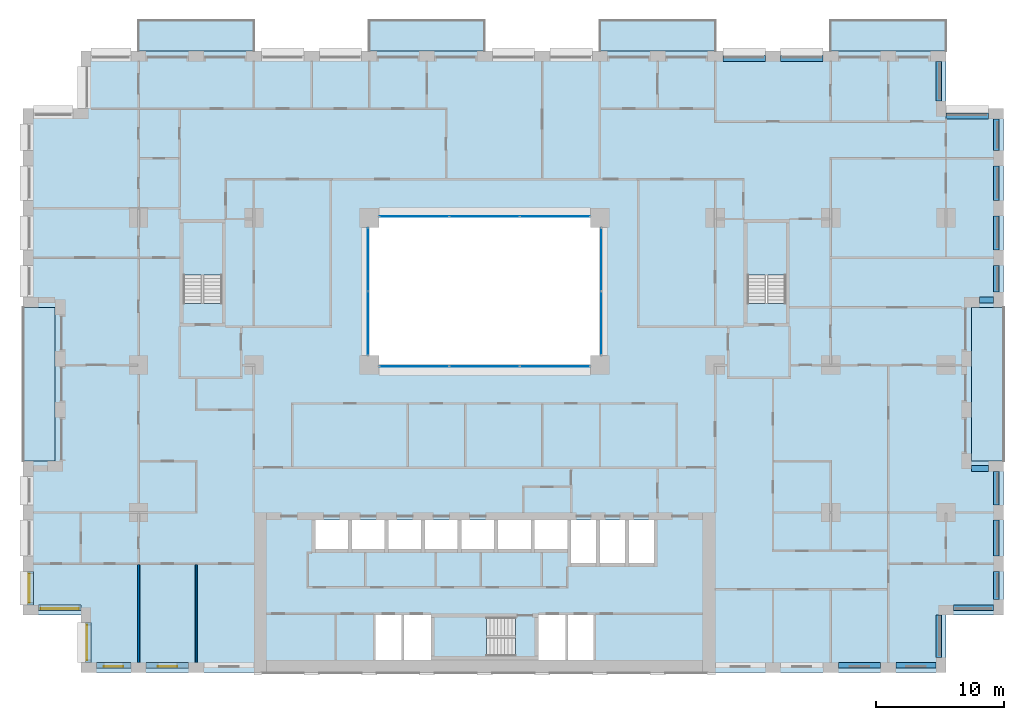
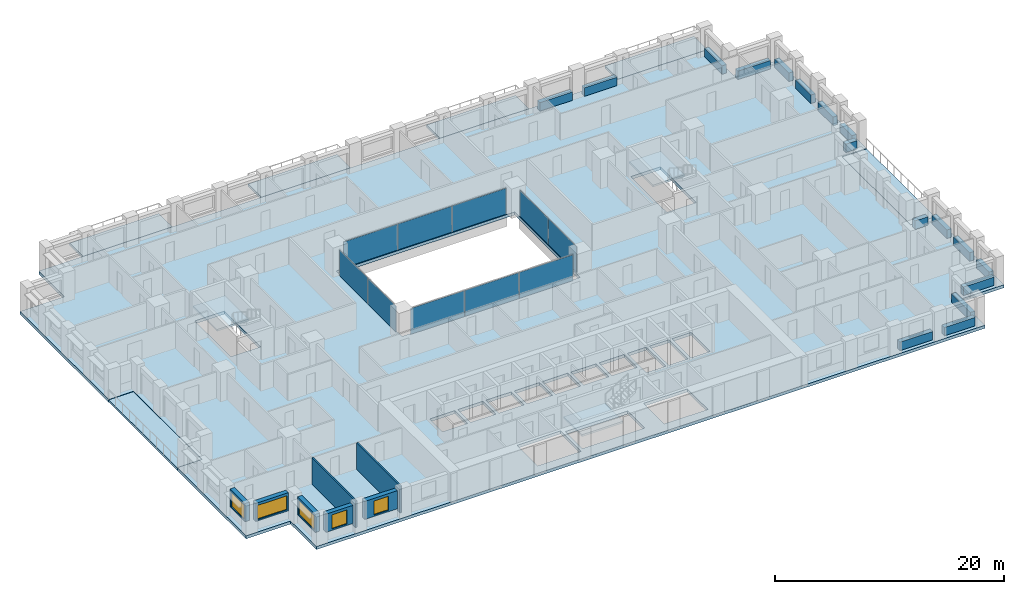
# One storey, part 8 of 21: 17 beams, 10 plates, 10 slabs, 7 walls, 5 windows, 5 openings, 7 elements without a shape of their own.
"""IFC4 building model written with IfcOpenShell, lengths in metres."""

from ifc_helpers import new_model, si_unit, direction, frame, frame_2d, origin, origin_2d, place, context, subcontext, project, spatial, polyline, rectangle, outline, extrude, material, layer, layer_set, material_profile, profile_set, type_object, element, fill, aggregate, save


model = new_model("IFC4")

# Units and contexts
model_context = context("Model", 3, precision=1e-05, world=origin(), true_north=direction((0.0, 1.0)))
body_context = subcontext(model_context, "Body", "Model", "MODEL_VIEW")
ifc_project = project(units=[si_unit("LENGTHUNIT", "METRE"), si_unit("AREAUNIT", "SQUARE_METRE"), si_unit("VOLUMEUNIT", "CUBIC_METRE"), si_unit("PLANEANGLEUNIT", "RADIAN"), si_unit("MASSUNIT", "GRAM", prefix="KILO")], contexts=[model_context])

# Site, building, storey
site_placement = place(None, origin())
site = spatial("IfcSite", under=ifc_project, at=site_placement, CompositionType="ELEMENT")
building_placement = place(site_placement, origin())
building = spatial("IfcBuilding", under=site, at=building_placement, Name="Brigalow Station Residences", CompositionType="ELEMENT")
storey_placement = place(building_placement, frame((0.0, 0.0, 47.85009765625)))
storey = spatial("IfcBuildingStorey", under=building, at=storey_placement, Name="L13", CompositionType="ELEMENT", Elevation=47.85009765625)

# Beams
ifc_material_1 = material(Name="Concrete C65", Category="concrete")
ifc_material_profile = material_profile(ifc_material_1, rectangle(XDim=0.449951171875, YDim=0.89990234375, at=origin_2d()), Name="RC450x900")
ifc_profile_set = profile_set([ifc_material_profile], Name="Concrete C65")
beam_type = type_object("IfcBeamType", Name="SPANDREL BEAM 450x900 C65", PredefinedType="SPANDREL", material=ifc_profile_set)
beam_1_placement = place(storey_placement, frame((63.60009765625, 0.574951171875, 0.449951171875), z_axis=(1.0, 0.0, 0.0), x_axis=(0.0, 1.0, 0.0)))
element("IfcBeam", 1, at=beam_1_placement, inside=storey, type_object=beam_type, Name="L13/spandrel/W-L13-7", PredefinedType="SPANDREL", context=body_context, shape_type="SweptSolid", body=[
    extrude(rectangle(XDim=0.449951171875, YDim=0.89990234375, at=origin_2d()), origin(), (0.0, 0.0, 1.0), 3.2998046875),
])
beam_2_placement = place(storey_placement, frame((68.10009765625, 0.574951171875, 0.449951171875), z_axis=(1.0, 0.0, 0.0), x_axis=(0.0, 1.0, 0.0)))
element("IfcBeam", 2, at=beam_2_placement, inside=storey, type_object=beam_type, Name="L13/spandrel/W-L13-8", PredefinedType="SPANDREL", context=body_context, shape_type="SweptSolid", body=[
    extrude(rectangle(XDim=0.449951171875, YDim=0.89990234375, at=origin_2d()), origin(), (0.0, 0.0, 1.0), 3.099853515625),
])
beam_3_placement = place(storey_placement, frame((71.425048828125, 1.199951171875, 0.449951171875), z_axis=(0.0, 1.0, 0.0), x_axis=(-1.0, 0.0, 0.0)))
element("IfcBeam", 3, at=beam_3_placement, inside=storey, type_object=beam_type, Name="L13/spandrel/W-L13-9", PredefinedType="SPANDREL", context=body_context, shape_type="SweptSolid", body=[
    extrude(rectangle(XDim=0.449951171875, YDim=0.89990234375, at=origin_2d()), origin(), (0.0, 0.0, 1.0), 3.300048828125),
])
beam_4_placement = place(storey_placement, frame((72.60009765625, 5.074951171875, 0.449951171875), z_axis=(1.0, 0.0, 0.0), x_axis=(0.0, 1.0, 0.0)))
element("IfcBeam", 4, at=beam_4_placement, inside=storey, type_object=beam_type, Name="L13/spandrel/W-L13-10", PredefinedType="SPANDREL", context=body_context, shape_type="SweptSolid", body=[
    extrude(rectangle(XDim=0.449951171875, YDim=0.89990234375, at=origin_2d()), origin(), (0.0, 0.0, 1.0), 3.099853515625),
])
beam_5_placement = place(storey_placement, frame((75.925048828125, 5.699951171875, 0.449951171875), z_axis=(0.0, 1.0, 0.0), x_axis=(-1.0, 0.0, 0.0)))
element("IfcBeam", 5, at=beam_5_placement, inside=storey, type_object=beam_type, Name="L13/spandrel/W-L13-11", PredefinedType="SPANDREL", context=body_context, shape_type="SweptSolid", body=[
    extrude(rectangle(XDim=0.449951171875, YDim=0.89990234375, at=origin_2d()), origin(), (0.0, 0.0, 1.0), 2.199951171875),
])
beam_6_placement = place(storey_placement, frame((75.925048828125, 9.10009765625, 0.449951171875), z_axis=(0.0, 1.0, 0.0), x_axis=(-1.0, 0.0, 0.0)))
element("IfcBeam", 6, at=beam_6_placement, inside=storey, type_object=beam_type, Name="L13/spandrel/W-L13-12", PredefinedType="SPANDREL", context=body_context, shape_type="SweptSolid", body=[
    extrude(rectangle(XDim=0.449951171875, YDim=0.89990234375, at=origin_2d()), origin(), (0.0, 0.0, 1.0), 2.7998046875),
])
beam_7_placement = place(storey_placement, frame((75.925048828125, 13.10009765625, 0.449951171875), z_axis=(0.0, 1.0, 0.0), x_axis=(-1.0, 0.0, 0.0)))
element("IfcBeam", 7, at=beam_7_placement, inside=storey, type_object=beam_type, Name="L13/spandrel/W-L13-13", PredefinedType="SPANDREL", context=body_context, shape_type="SweptSolid", body=[
    extrude(rectangle(XDim=0.449951171875, YDim=0.89990234375, at=origin_2d()), origin(), (0.0, 0.0, 1.0), 2.599853515625),
])
beam_8_placement = place(storey_placement, frame((75.300048828125, 15.925048828125, 0.449951171875), z_axis=(-1.0, 0.0, 0.0), x_axis=(0.0, -1.0, 0.0)))
element("IfcBeam", 8, at=beam_8_placement, inside=storey, type_object=beam_type, Name="L13/spandrel/W-L13-14", PredefinedType="SPANDREL", context=body_context, shape_type="SweptSolid", body=[
    extrude(rectangle(XDim=0.449951171875, YDim=0.89990234375, at=origin_2d()), origin(), (0.0, 0.0, 1.0), 1.300048828125),
])
beam_9_placement = place(storey_placement, frame((74.60009765625, 29.074951171875, 0.449951171875), z_axis=(1.0, 0.0, 0.0), x_axis=(0.0, 1.0, 0.0)))
element("IfcBeam", 9, at=beam_9_placement, inside=storey, type_object=beam_type, Name="L13/spandrel/W-L13-18", PredefinedType="SPANDREL", context=body_context, shape_type="SweptSolid", body=[
    extrude(rectangle(XDim=0.449951171875, YDim=0.89990234375, at=origin_2d()), origin(), (0.0, 0.0, 1.0), 1.099853515625),
])
beam_10_placement = place(storey_placement, frame((75.925048828125, 29.699951171875, 0.449951171875), z_axis=(0.0, 1.0, 0.0), x_axis=(-1.0, 0.0, 0.0)))
element("IfcBeam", 10, at=beam_10_placement, inside=storey, type_object=beam_type, Name="L13/spandrel/W-L13-19", PredefinedType="SPANDREL", context=body_context, shape_type="SweptSolid", body=[
    extrude(rectangle(XDim=0.449951171875, YDim=0.89990234375, at=origin_2d()), origin(), (0.0, 0.0, 1.0), 2.074951171875),
])
for number, where, z_axis, x_axis, name in (
    (11, (75.925048828125, 32.97509765625, 0.449951171875), (0.0, 1.0, 0.0), (-1.0, 0.0, 0.0), "L13/spandrel/W-L13-20"),
    (12, (75.925048828125, 36.85009765625, 0.449951171875), (0.0, 1.0, 0.0), (-1.0, 0.0, 0.0), "L13/spandrel/W-L13-21"),
):
    element("IfcBeam", number, at=place(storey_placement, frame(where, z_axis=z_axis, x_axis=x_axis)), inside=storey, type_object=beam_type, Name=name, PredefinedType="SPANDREL", context=body_context, shape_type="SweptSolid", body=[
        extrude(rectangle(XDim=0.449951171875, YDim=0.89990234375, at=origin_2d()), origin(), (0.0, 0.0, 1.0), 2.6748046875),
    ])
beam_11_placement = place(storey_placement, frame((75.925048828125, 40.72509765625, 0.449951171875), z_axis=(0.0, 1.0, 0.0), x_axis=(-1.0, 0.0, 0.0)))
element("IfcBeam", 13, at=beam_11_placement, inside=storey, type_object=beam_type, Name="L13/spandrel/W-L13-22", PredefinedType="SPANDREL", context=body_context, shape_type="SweptSolid", body=[
    extrude(rectangle(XDim=0.449951171875, YDim=0.89990234375, at=origin_2d()), origin(), (0.0, 0.0, 1.0), 2.474853515625),
])
beam_12_placement = place(storey_placement, frame((75.300048828125, 43.425048828125, 0.449951171875), z_axis=(-1.0, 0.0, 0.0), x_axis=(0.0, -1.0, 0.0)))
element("IfcBeam", 14, at=beam_12_placement, inside=storey, type_object=beam_type, Name="L13/spandrel/W-L13-23", PredefinedType="SPANDREL", context=body_context, shape_type="SweptSolid", body=[
    extrude(rectangle(XDim=0.449951171875, YDim=0.89990234375, at=origin_2d()), origin(), (0.0, 0.0, 1.0), 3.300048828125),
])
beam_13_placement = place(storey_placement, frame((71.425048828125, 44.60009765625, 0.449951171875), z_axis=(0.0, 1.0, 0.0), x_axis=(-1.0, 0.0, 0.0)))
element("IfcBeam", 15, at=beam_13_placement, inside=storey, type_object=beam_type, Name="L13/spandrel/W-L13-24", PredefinedType="SPANDREL", context=body_context, shape_type="SweptSolid", body=[
    extrude(rectangle(XDim=0.449951171875, YDim=0.89990234375, at=origin_2d()), origin(), (0.0, 0.0, 1.0), 3.099853515625),
])
for number, where, z_axis, x_axis, name in (
    (16, (62.39990234375, 47.925048828125, 0.449951171875), (-1.0, 0.0, 0.0), (0.0, -1.0, 0.0), "L13/spandrel/W-L13-27"),
    (17, (57.89990234375, 47.925048828125, 0.449951171875), (-1.0, 0.0, 0.0), (0.0, -1.0, 0.0), "L13/spandrel/W-L13-28"),
):
    element("IfcBeam", number, at=place(storey_placement, frame(where, z_axis=z_axis, x_axis=x_axis)), inside=storey, type_object=beam_type, Name=name, PredefinedType="SPANDREL", context=body_context, shape_type="SweptSolid", body=[
        extrude(rectangle(XDim=0.449951171875, YDim=0.89990234375, at=origin_2d()), origin(), (0.0, 0.0, 1.0), 3.2998046875),
    ])

# Curtain wall, plates
ifc_material_2 = material(Name="Aluminium", Category="aluminium")
ifc_layer_1 = layer(ifc_material_2, 0.14990234375)
ifc_layer_set_1 = layer_set([ifc_layer_1], Name="ATRIUM FIRE-RATED GLAZING CURTAIN WALL")
curtain_wall_type = type_object("IfcCurtainWallType", Name="ATRIUM FIRE-RATED GLAZING CURTAIN WALL", PredefinedType="NOTDEFINED", material=ifc_layer_set_1)
curtain_wall_1_placement = place(storey_placement, origin())
curtain_wall_1 = element("IfcCurtainWall", 18, at=curtain_wall_1_placement, inside=storey, type_object=curtain_wall_type, Name="L13/cw/atrium-S", PredefinedType="NOTDEFINED")
ifc_material_3 = material(Name="Fire-resisting laminated glazing, FRL -/60/-", Category="glass")
ifc_layer_2 = layer(ifc_material_3, 0.031982421875)
ifc_layer_set_2 = layer_set([ifc_layer_2], Name="ATRIUM FIRE-RATED GLAZING PANEL 32")
plate_type = type_object("IfcPlateType", Name="ATRIUM FIRE-RATED GLAZING PANEL 32", PredefinedType="CURTAIN_PANEL", material=ifc_layer_set_2)
plate_1_placement = place(storey_placement, frame((30.514892578125, 23.89990234375, 0.0), z_axis=(0.0, 0.0, 1.0), x_axis=(1.0, 0.0, 0.0)))
plate_1 = element("IfcPlate", 19, at=plate_1_placement, type_object=plate_type, Name="L13/cw/atrium-S/P00-00", PredefinedType="CURTAIN_PANEL", context=body_context, shape_type="SweptSolid", body=[
    extrude(rectangle(XDim=5.409912109375, YDim=0.031982421875, at=origin_2d()), origin(), (0.0, 0.0, 1.0), 2.77001953125),
])
plate_2_placement = place(storey_placement, frame((36.0, 23.89990234375, 0.0), z_axis=(0.0, 0.0, 1.0), x_axis=(1.0, 0.0, 0.0)))
plate_2 = element("IfcPlate", 20, at=plate_2_placement, type_object=plate_type, Name="L13/cw/atrium-S/P01-00", PredefinedType="CURTAIN_PANEL", context=body_context, shape_type="SweptSolid", body=[
    extrude(rectangle(XDim=5.43994140625, YDim=0.031982421875, at=origin_2d()), origin(), (0.0, 0.0, 1.0), 2.77001953125),
])
plate_3_placement = place(storey_placement, frame((41.485107421875, 23.89990234375, 0.0), z_axis=(0.0, 0.0, 1.0), x_axis=(1.0, 0.0, 0.0)))
plate_3 = element("IfcPlate", 21, at=plate_3_placement, type_object=plate_type, Name="L13/cw/atrium-S/P02-00", PredefinedType="CURTAIN_PANEL", context=body_context, shape_type="SweptSolid", body=[
    extrude(rectangle(XDim=5.409912109375, YDim=0.031982421875, at=origin_2d()), origin(), (0.0, 0.0, 1.0), 2.77001953125),
])
aggregate(curtain_wall_1, [plate_1, plate_2, plate_3])

curtain_wall_2_placement = place(storey_placement, origin())
curtain_wall_2 = element("IfcCurtainWall", 22, at=curtain_wall_2_placement, inside=storey, type_object=curtain_wall_type, Name="L13/cw/atrium-E", PredefinedType="NOTDEFINED")
plate_4_placement = place(storey_placement, frame((45.10009765625, 27.264892578125, 0.0), z_axis=(0.0, 0.0, 1.0), x_axis=(0.0, 1.0, 0.0)))
plate_4 = element("IfcPlate", 23, at=plate_4_placement, type_object=plate_type, Name="L13/cw/atrium-E/P00-00", PredefinedType="CURTAIN_PANEL", context=body_context, shape_type="SweptSolid", body=[
    extrude(rectangle(XDim=4.909912109375, YDim=0.031982421875, at=origin_2d()), origin(), (0.0, 0.0, 1.0), 2.77001953125),
])
plate_5_placement = place(storey_placement, frame((45.10009765625, 32.235107421875, 0.0), z_axis=(0.0, 0.0, 1.0), x_axis=(0.0, 1.0, 0.0)))
plate_5 = element("IfcPlate", 24, at=plate_5_placement, type_object=plate_type, Name="L13/cw/atrium-E/P01-00", PredefinedType="CURTAIN_PANEL", context=body_context, shape_type="SweptSolid", body=[
    extrude(rectangle(XDim=4.909912109375, YDim=0.031982421875, at=origin_2d()), origin(), (0.0, 0.0, 1.0), 2.77001953125),
])
aggregate(curtain_wall_2, [plate_4, plate_5])

curtain_wall_3_placement = place(storey_placement, origin())
curtain_wall_3 = element("IfcCurtainWall", 25, at=curtain_wall_3_placement, inside=storey, type_object=curtain_wall_type, Name="L13/cw/atrium-N", PredefinedType="NOTDEFINED")
plate_6_placement = place(storey_placement, frame((41.485107421875, 35.60009765625, 0.0), z_axis=(0.0, 0.0, 1.0), x_axis=(-1.0, 0.0, 0.0)))
plate_6 = element("IfcPlate", 26, at=plate_6_placement, type_object=plate_type, Name="L13/cw/atrium-N/P00-00", PredefinedType="CURTAIN_PANEL", context=body_context, shape_type="SweptSolid", body=[
    extrude(rectangle(XDim=5.409912109375, YDim=0.031982421875, at=origin_2d()), origin(), (0.0, 0.0, 1.0), 2.77001953125),
])
plate_7_placement = place(storey_placement, frame((36.0, 35.60009765625, 0.0), z_axis=(0.0, 0.0, 1.0), x_axis=(-1.0, 0.0, 0.0)))
plate_7 = element("IfcPlate", 27, at=plate_7_placement, type_object=plate_type, Name="L13/cw/atrium-N/P01-00", PredefinedType="CURTAIN_PANEL", context=body_context, shape_type="SweptSolid", body=[
    extrude(rectangle(XDim=5.43994140625, YDim=0.031982421875, at=origin_2d()), origin(), (0.0, 0.0, 1.0), 2.77001953125),
])
plate_8_placement = place(storey_placement, frame((30.514892578125, 35.60009765625, 0.0), z_axis=(0.0, 0.0, 1.0), x_axis=(-1.0, 0.0, 0.0)))
plate_8 = element("IfcPlate", 28, at=plate_8_placement, type_object=plate_type, Name="L13/cw/atrium-N/P02-00", PredefinedType="CURTAIN_PANEL", context=body_context, shape_type="SweptSolid", body=[
    extrude(rectangle(XDim=5.409912109375, YDim=0.031982421875, at=origin_2d()), origin(), (0.0, 0.0, 1.0), 2.77001953125),
])
aggregate(curtain_wall_3, [plate_6, plate_7, plate_8])

curtain_wall_4_placement = place(storey_placement, origin())
curtain_wall_4 = element("IfcCurtainWall", 29, at=curtain_wall_4_placement, inside=storey, type_object=curtain_wall_type, Name="L13/cw/atrium-W", PredefinedType="NOTDEFINED")
plate_9_placement = place(storey_placement, frame((26.89990234375, 32.235107421875, 0.0), z_axis=(0.0, 0.0, 1.0), x_axis=(0.0, -1.0, 0.0)))
plate_9 = element("IfcPlate", 30, at=plate_9_placement, type_object=plate_type, Name="L13/cw/atrium-W/P00-00", PredefinedType="CURTAIN_PANEL", context=body_context, shape_type="SweptSolid", body=[
    extrude(rectangle(XDim=4.909912109375, YDim=0.031982421875, at=origin_2d()), origin(), (0.0, 0.0, 1.0), 2.77001953125),
])
plate_10_placement = place(storey_placement, frame((26.89990234375, 27.264892578125, 0.0), z_axis=(0.0, 0.0, 1.0), x_axis=(0.0, -1.0, 0.0)))
plate_10 = element("IfcPlate", 31, at=plate_10_placement, type_object=plate_type, Name="L13/cw/atrium-W/P01-00", PredefinedType="CURTAIN_PANEL", context=body_context, shape_type="SweptSolid", body=[
    extrude(rectangle(XDim=4.909912109375, YDim=0.031982421875, at=origin_2d()), origin(), (0.0, 0.0, 1.0), 2.77001953125),
])
aggregate(curtain_wall_4, [plate_9, plate_10])

# Slabs
ifc_material_4 = material(Name="Concrete C50 precast", Category="concrete")
ifc_layer_3 = layer(ifc_material_4, 0.25)
ifc_layer_set_3 = layer_set([ifc_layer_3], Name="BALCONY SLAB 250")
slab_type_1 = type_object("IfcSlabType", Name="BALCONY SLAB 250", PredefinedType="USERDEFINED", material=ifc_layer_set_3)
slab_1_placement = place(storey_placement, frame((0.0, 0.0, -0.2900390625)))
element("IfcSlab", 32, at=slab_1_placement, inside=storey, type_object=slab_type_1, Name="L13/balcony/1", ObjectType="BALCONY", PredefinedType="USERDEFINED", context=body_context, shape_type="SweptSolid", body=[
    extrude(outline(polyline([(74.0, 16.5), (76.5, 16.5), (76.5, 28.5), (74.0, 28.5), (74.0, 16.5)])), origin(), (0.0, 0.0, 1.0), 0.25),
])
slab_2_placement = place(storey_placement, frame((0.0, 0.0, -0.2900390625)))
element("IfcSlab", 33, at=slab_2_placement, inside=storey, type_object=slab_type_1, Name="L13/balcony/2", ObjectType="BALCONY", PredefinedType="USERDEFINED", context=body_context, shape_type="SweptSolid", body=[
    extrude(outline(polyline([(72.0, 48.5), (72.0, 50.89990234375), (63.0, 50.89990234375), (63.0, 48.5), (72.0, 48.5)])), origin(), (0.0, 0.0, 1.0), 0.25),
])
slab_3_placement = place(storey_placement, frame((0.0, 0.0, -0.2900390625)))
element("IfcSlab", 34, at=slab_3_placement, inside=storey, type_object=slab_type_1, Name="L13/balcony/3", ObjectType="BALCONY", PredefinedType="USERDEFINED", context=body_context, shape_type="SweptSolid", body=[
    extrude(outline(polyline([(54.0, 48.5), (54.0, 50.89990234375), (45.0, 50.89990234375), (45.0, 48.5), (54.0, 48.5)])), origin(), (0.0, 0.0, 1.0), 0.25),
])
slab_4_placement = place(storey_placement, frame((0.0, 0.0, -0.2900390625)))
element("IfcSlab", 35, at=slab_4_placement, inside=storey, type_object=slab_type_1, Name="L13/balcony/4", ObjectType="BALCONY", PredefinedType="USERDEFINED", context=body_context, shape_type="SweptSolid", body=[
    extrude(outline(polyline([(36.0, 48.5), (36.0, 50.89990234375), (27.0, 50.89990234375), (27.0, 48.5), (36.0, 48.5)])), origin(), (0.0, 0.0, 1.0), 0.25),
])
slab_5_placement = place(storey_placement, frame((0.0, 0.0, -0.2900390625)))
element("IfcSlab", 36, at=slab_5_placement, inside=storey, type_object=slab_type_1, Name="L13/balcony/5", ObjectType="BALCONY", PredefinedType="USERDEFINED", context=body_context, shape_type="SweptSolid", body=[
    extrude(outline(polyline([(18.0, 48.5), (18.0, 50.89990234375), (9.0, 50.89990234375), (9.0, 48.5), (18.0, 48.5)])), origin(), (0.0, 0.0, 1.0), 0.25),
])
slab_6_placement = place(storey_placement, frame((0.0, 0.0, -0.2900390625)))
element("IfcSlab", 37, at=slab_6_placement, inside=storey, type_object=slab_type_1, Name="L13/balcony/6", ObjectType="BALCONY", PredefinedType="USERDEFINED", context=body_context, shape_type="SweptSolid", body=[
    extrude(outline(polyline([(2.5, 28.5), (0.0, 28.5), (0.0, 16.5), (2.5, 16.5), (2.5, 28.5)])), origin(), (0.0, 0.0, 1.0), 0.25),
])
ifc_material_5 = material(Name="Concrete C50", Category="concrete")
ifc_layer_4 = layer(ifc_material_5, 0.320068359375)
ifc_layer_set_4 = layer_set([ifc_layer_4], Name="POST-TENSIONED FLAT PLATE 320 C50")
slab_type_2 = type_object("IfcSlabType", Name="POST-TENSIONED FLAT PLATE 320 C50", PredefinedType="FLOOR", material=ifc_layer_set_4)
slab_7_placement = place(storey_placement, frame((0.0, 0.0, -0.320068359375)))
element("IfcSlab", 38, at=slab_7_placement, inside=storey, type_object=slab_type_2, Name="FLOOR SLAB L13", PredefinedType="FLOOR", context=body_context, shape_type="SweptSolid", body=[
    extrude(outline(polyline([(4.5, 0.0), (72.0, 0.0), (72.0, 4.5), (76.5, 4.5), (76.5, 16.5), (74.0, 16.5), (74.0, 28.5), (76.5, 28.5), (76.5, 44.0), (72.0, 44.0), (72.0, 48.5), (4.5, 48.5), (4.5, 44.0), (0.0, 44.0), (0.0, 28.5), (2.5, 28.5), (2.5, 16.5), (0.0, 16.5), (0.0, 4.5), (4.5, 4.5), (4.5, 0.0)]), holes=[polyline([(15.4951171875, 35.094970703125), (15.4951171875, 28.804931640625), (12.5048828125, 28.804931640625), (12.5048828125, 35.094970703125), (15.4951171875, 35.094970703125)]), polyline([(22.800048828125, 11.89990234375), (25.35009765625, 11.89990234375), (25.35009765625, 9.64990234375), (22.800048828125, 9.64990234375), (22.800048828125, 11.89990234375)]), polyline([(25.64990234375, 11.89990234375), (28.199951171875, 11.89990234375), (28.199951171875, 9.64990234375), (25.64990234375, 9.64990234375), (25.64990234375, 11.89990234375)]), polyline([(28.5, 11.89990234375), (31.050048828125, 11.89990234375), (31.050048828125, 9.64990234375), (28.5, 9.64990234375), (28.5, 11.89990234375)]), polyline([(29.60009765625, 1.0), (27.39990234375, 1.0), (27.39990234375, 4.60009765625), (29.60009765625, 4.60009765625), (31.800048828125, 4.60009765625), (31.800048828125, 1.0), (29.60009765625, 1.0)]), polyline([(31.35009765625, 11.89990234375), (33.89990234375, 11.89990234375), (33.89990234375, 9.64990234375), (31.35009765625, 9.64990234375), (31.35009765625, 11.89990234375)]), polyline([(32.10498046875, 4.294921875), (38.39501953125, 4.294921875), (38.39501953125, 1.304931640625), (32.10498046875, 1.304931640625), (32.10498046875, 4.294921875)]), polyline([(36.75, 11.89990234375), (36.75, 9.64990234375), (34.199951171875, 9.64990234375), (34.199951171875, 11.89990234375), (36.75, 11.89990234375)]), polyline([(37.050048828125, 11.89990234375), (39.60009765625, 11.89990234375), (39.60009765625, 9.64990234375), (37.050048828125, 9.64990234375), (37.050048828125, 11.89990234375)]), polyline([(39.89990234375, 11.89990234375), (42.449951171875, 11.89990234375), (42.449951171875, 9.64990234375), (39.89990234375, 9.64990234375), (39.89990234375, 11.89990234375)]), polyline([(42.39990234375, 1.0), (40.199951171875, 1.0), (40.199951171875, 4.60009765625), (42.39990234375, 4.60009765625), (44.60009765625, 4.60009765625), (44.60009765625, 1.0), (42.39990234375, 1.0)]), polyline([(42.75, 11.89990234375), (44.699951171875, 11.89990234375), (44.699951171875, 8.550048828125), (42.75, 8.550048828125), (42.75, 11.89990234375)]), polyline([(45.0, 11.89990234375), (46.949951171875, 11.89990234375), (46.949951171875, 8.550048828125), (45.0, 8.550048828125), (45.0, 11.89990234375)]), polyline([(45.0, 35.5), (45.0, 24.0), (27.0, 24.0), (27.0, 35.5), (45.0, 35.5)]), polyline([(47.25, 11.89990234375), (49.199951171875, 11.89990234375), (49.199951171875, 8.550048828125), (47.25, 8.550048828125), (47.25, 11.89990234375)]), polyline([(59.4951171875, 35.094970703125), (59.4951171875, 28.804931640625), (56.5048828125, 28.804931640625), (56.5048828125, 35.094970703125), (59.4951171875, 35.094970703125)])]), origin(), (0.0, 0.0, 1.0), 0.320068359375),
])

# Stair, slab
ifc_material_6 = material(Name="Concrete C50", Category="concrete")
stair_type = type_object("IfcStairType", Name="EXIT STAIR 1400 2 FLIGHT", PredefinedType="HALF_TURN_STAIR", material=ifc_material_6)
stair_1_placement = place(storey_placement, origin())
stair_1 = element("IfcStair", 39, at=stair_1_placement, inside=storey, type_object=stair_type, Name="EXIT STAIR S2 L13", PredefinedType="HALF_TURN_STAIR")
ifc_material_7 = material(Name="Concrete C50", Category="concrete")
ifc_layer_5 = layer(ifc_material_7, 0.199951171875)
ifc_layer_set_5 = layer_set([ifc_layer_5], Name="STAIR LANDING 200")
slab_type_3 = type_object("IfcSlabType", Name="STAIR LANDING 200", PredefinedType="LANDING", material=ifc_layer_set_5)
slab_8_placement = place(storey_placement, frame((0.0, 0.0, 1.375)))
slab_8 = element("IfcSlab", 40, at=slab_8_placement, type_object=slab_type_3, Name="ST-2 landing 1", PredefinedType="LANDING", context=body_context, shape_type="SweptSolid", body=[
    extrude(outline(polyline([(32.0, 1.199951171875), (36.159912109375, 1.199951171875), (36.159912109375, 4.39990234375), (32.0, 4.39990234375), (32.0, 1.199951171875)])), origin(), (0.0, 0.0, 1.0), 0.199951171875),
])
aggregate(stair_1, [slab_8])

stair_2_placement = place(storey_placement, origin())
stair_2 = element("IfcStair", 41, at=stair_2_placement, inside=storey, type_object=stair_type, Name="EXIT STAIR S1 L13", PredefinedType="HALF_TURN_STAIR")
slab_9_placement = place(storey_placement, frame((0.0, 0.0, 1.375)))
slab_9 = element("IfcSlab", 42, at=slab_9_placement, type_object=slab_type_3, Name="ST-1 landing 1", PredefinedType="LANDING", context=body_context, shape_type="SweptSolid", body=[
    extrude(outline(polyline([(12.39990234375, 31.0400390625), (15.60009765625, 31.0400390625), (15.60009765625, 35.199951171875), (12.39990234375, 35.199951171875), (12.39990234375, 31.0400390625)])), origin(), (0.0, 0.0, 1.0), 0.199951171875),
])
aggregate(stair_2, [slab_9])

stair_3_placement = place(storey_placement, origin())
stair_3 = element("IfcStair", 43, at=stair_3_placement, inside=storey, type_object=stair_type, Name="EXIT STAIR S3 L13", PredefinedType="HALF_TURN_STAIR")
slab_10_placement = place(storey_placement, frame((0.0, 0.0, 1.375)))
slab_10 = element("IfcSlab", 44, at=slab_10_placement, type_object=slab_type_3, Name="ST-3 landing 1", PredefinedType="LANDING", context=body_context, shape_type="SweptSolid", body=[
    extrude(outline(polyline([(56.39990234375, 31.0400390625), (59.60009765625, 31.0400390625), (59.60009765625, 35.199951171875), (56.39990234375, 35.199951171875), (56.39990234375, 31.0400390625)])), origin(), (0.0, 0.0, 1.0), 0.199951171875),
])
aggregate(stair_3, [slab_10])

# Wall, opening, window
ifc_material_8 = material(Name="Clay brick masonry", Category="masonry")
ifc_layer_6 = layer(ifc_material_8, 0.449951171875)
ifc_layer_set_6 = layer_set([ifc_layer_6], Name="BRICK INFILL WALL 450")
wall_type_1 = type_object("IfcWallType", Name="BRICK INFILL WALL 450", PredefinedType="SOLIDWALL", material=ifc_layer_set_6)
wall_1_placement = place(storey_placement, frame((5.699951171875, 0.574951171875, 0.89990234375), z_axis=(0.0, 0.0, 1.0), x_axis=(1.0, 0.0, 0.0)))
wall_1 = element("IfcWall", 45, at=wall_1_placement, inside=storey, type_object=wall_type_1, Name="L13/ewall/W-L13-1", PredefinedType="SOLIDWALL", context=body_context, shape_type="SweptSolid", body=[
    extrude(rectangle(XDim=2.699951171875, YDim=0.449951171875, at=frame_2d((1.35009765625, 0.0))), origin(), (0.0, 0.0, 1.0), 1.929931640625),
])
opening_1_placement = place(wall_1_placement, frame((0.60009765625, 0.0, 0.14990234375)))
opening_1 = element("IfcOpeningElement", 46, at=opening_1_placement, cuts=wall_1, Name="Opening WT-1", PredefinedType="OPENING", context=body_context, shape_type="SweptSolid", body=[
    extrude(rectangle(XDim=1.5, YDim=1.5, at=frame_2d((0.75, 0.75))), frame((0.0, 0.23486328125, 0.0), z_axis=(0.0, -1.0, 0.0), x_axis=(1.0, 0.0, 0.0)), (0.0, 0.0, 1.0), 0.469970703125),
])
ifc_material_9 = material(Name="Anodised aluminium frame with double glazing", Category="aluminium")
window_type_1 = type_object("IfcWindowType", Name="WINDOW 1500x1500", PartitioningType="SINGLE_PANEL", PredefinedType="WINDOW", material=ifc_material_9)
window_1_placement = place(opening_1_placement, origin())
window_1 = element("IfcWindow", 47, at=window_1_placement, inside=storey, type_object=window_type_1, Name="L13/window/W-L13-1", OverallHeight=1.5, OverallWidth=1.5, PartitioningType="SINGLE_PANEL", PredefinedType="WINDOW", context=body_context, shape_type="SweptSolid", body=[
    extrude(rectangle(XDim=1.5, YDim=1.5, at=frame_2d((0.75, 0.75))), frame((0.0, -0.06494140625, 0.0), z_axis=(0.0, -1.0, 0.0), x_axis=(1.0, 0.0, 0.0)), (0.0, 0.0, 1.0), 0.06005859375),
])
fill(opening_1, window_1)

wall_2_placement = place(storey_placement, frame((9.60009765625, 0.574951171875, 0.89990234375), z_axis=(0.0, 0.0, 1.0), x_axis=(1.0, 0.0, 0.0)))
wall_2 = element("IfcWall", 48, at=wall_2_placement, inside=storey, type_object=wall_type_1, Name="L13/ewall/W-L13-2", PredefinedType="SOLIDWALL", context=body_context, shape_type="SweptSolid", body=[
    extrude(rectangle(XDim=3.2998046875, YDim=0.449951171875, at=frame_2d((1.64990234375, 0.0))), origin(), (0.0, 0.0, 1.0), 1.929931640625),
])
opening_2_placement = place(wall_2_placement, frame((0.89990234375, 0.0, 0.14990234375)))
opening_2 = element("IfcOpeningElement", 49, at=opening_2_placement, cuts=wall_2, Name="Opening WT-1", PredefinedType="OPENING", context=body_context, shape_type="SweptSolid", body=[
    extrude(rectangle(XDim=1.5, YDim=1.5, at=frame_2d((0.75, 0.75))), frame((0.0, 0.23486328125, 0.0), z_axis=(0.0, -1.0, 0.0), x_axis=(1.0, 0.0, 0.0)), (0.0, 0.0, 1.0), 0.469970703125),
])
window_2_placement = place(opening_2_placement, origin())
window_2 = element("IfcWindow", 50, at=window_2_placement, inside=storey, type_object=window_type_1, Name="L13/window/W-L13-2", OverallHeight=1.5, OverallWidth=1.5, PartitioningType="SINGLE_PANEL", PredefinedType="WINDOW", context=body_context, shape_type="SweptSolid", body=[
    extrude(rectangle(XDim=1.5, YDim=1.5, at=frame_2d((0.75, 0.75))), frame((0.0, -0.06494140625, 0.0), z_axis=(0.0, -1.0, 0.0), x_axis=(1.0, 0.0, 0.0)), (0.0, 0.0, 1.0), 0.06005859375),
])
fill(opening_2, window_2)

wall_3_placement = place(storey_placement, frame((0.574951171875, 7.89990234375, 0.89990234375), z_axis=(0.0, 0.0, 1.0), x_axis=(0.0, -1.0, 0.0)))
wall_3 = element("IfcWall", 51, at=wall_3_placement, inside=storey, type_object=wall_type_1, Name="L13/ewall/W-L13-53", PredefinedType="SOLIDWALL", context=body_context, shape_type="SweptSolid", body=[
    extrude(rectangle(XDim=2.599853515625, YDim=0.449951171875, at=frame_2d((1.2998046875, 0.0))), origin(), (0.0, 0.0, 1.0), 1.929931640625),
])
opening_3_placement = place(wall_3_placement, frame((0.175048828125, 0.0, 0.14990234375)))
opening_3 = element("IfcOpeningElement", 52, at=opening_3_placement, cuts=wall_3, Name="Opening WT-6", PredefinedType="OPENING", context=body_context, shape_type="SweptSolid", body=[
    extrude(rectangle(XDim=2.25, YDim=1.5, at=frame_2d((1.125, 0.75))), frame((0.0, 0.23486328125, 0.0), z_axis=(0.0, -1.0, 0.0), x_axis=(1.0, 0.0, 0.0)), (0.0, 0.0, 1.0), 0.469970703125),
])
ifc_material_10 = material(Name="Anodised aluminium frame with double glazing", Category="aluminium")
window_type_2 = type_object("IfcWindowType", Name="WINDOW 2250x1500", PartitioningType="SINGLE_PANEL", PredefinedType="WINDOW", material=ifc_material_10)
window_3_placement = place(opening_3_placement, origin())
window_3 = element("IfcWindow", 53, at=window_3_placement, inside=storey, type_object=window_type_2, Name="L13/window/W-L13-53", OverallHeight=1.5, OverallWidth=2.25, PartitioningType="SINGLE_PANEL", PredefinedType="WINDOW", context=body_context, shape_type="SweptSolid", body=[
    extrude(rectangle(XDim=2.25, YDim=1.5, at=frame_2d((1.125, 0.75))), frame((0.0, -0.06494140625, 0.0), z_axis=(0.0, -1.0, 0.0), x_axis=(1.0, 0.0, 0.0)), (0.0, 0.0, 1.0), 0.06005859375),
])
fill(opening_3, window_3)

wall_4_placement = place(storey_placement, frame((1.199951171875, 5.074951171875, 0.89990234375), z_axis=(0.0, 0.0, 1.0), x_axis=(1.0, 0.0, 0.0)))
wall_4 = element("IfcWall", 54, at=wall_4_placement, inside=storey, type_object=wall_type_1, Name="L13/ewall/W-L13-54", PredefinedType="SOLIDWALL", context=body_context, shape_type="SweptSolid", body=[
    extrude(rectangle(XDim=3.300048828125, YDim=0.449951171875, at=frame_2d((1.64990234375, 0.0))), origin(), (0.0, 0.0, 1.0), 1.929931640625),
])
opening_4_placement = place(wall_4_placement, frame((0.14990234375, 0.0, 0.14990234375)))
opening_4 = element("IfcOpeningElement", 55, at=opening_4_placement, cuts=wall_4, Name="Opening WT-2", PredefinedType="OPENING", context=body_context, shape_type="SweptSolid", body=[
    extrude(rectangle(XDim=3.0, YDim=1.5, at=frame_2d((1.5, 0.75))), frame((0.0, 0.23486328125, 0.0), z_axis=(0.0, -1.0, 0.0), x_axis=(1.0, 0.0, 0.0)), (0.0, 0.0, 1.0), 0.469970703125),
])
ifc_material_11 = material(Name="Anodised aluminium frame with double glazing", Category="aluminium")
window_type_3 = type_object("IfcWindowType", Name="WINDOW 3000x1500", PartitioningType="SINGLE_PANEL", PredefinedType="WINDOW", material=ifc_material_11)
window_4_placement = place(opening_4_placement, origin())
window_4 = element("IfcWindow", 56, at=window_4_placement, inside=storey, type_object=window_type_3, Name="L13/window/W-L13-54", OverallHeight=1.5, OverallWidth=3.0, PartitioningType="SINGLE_PANEL", PredefinedType="WINDOW", context=body_context, shape_type="SweptSolid", body=[
    extrude(rectangle(XDim=3.0, YDim=1.5, at=frame_2d((1.5, 0.75))), frame((0.0, -0.06494140625, 0.0), z_axis=(0.0, -1.0, 0.0), x_axis=(1.0, 0.0, 0.0)), (0.0, 0.0, 1.0), 0.06005859375),
])
fill(opening_4, window_4)

wall_5_placement = place(storey_placement, frame((5.074951171875, 3.89990234375, 0.89990234375), z_axis=(0.0, 0.0, 1.0), x_axis=(0.0, -1.0, 0.0)))
wall_5 = element("IfcWall", 57, at=wall_5_placement, inside=storey, type_object=wall_type_1, Name="L13/ewall/W-L13-55", PredefinedType="SOLIDWALL", context=body_context, shape_type="SweptSolid", body=[
    extrude(rectangle(XDim=3.099853515625, YDim=0.449951171875, at=frame_2d((1.5498046875, 0.0))), origin(), (0.0, 0.0, 1.0), 1.929931640625),
])
opening_5_placement = place(wall_5_placement, frame((0.175048828125, 0.0, 0.14990234375)))
opening_5 = element("IfcOpeningElement", 58, at=opening_5_placement, cuts=wall_5, Name="Opening WT-3", PredefinedType="OPENING", context=body_context, shape_type="SweptSolid", body=[
    extrude(rectangle(XDim=2.75, YDim=1.5, at=frame_2d((1.375, 0.75))), frame((0.0, 0.23486328125, 0.0), z_axis=(0.0, -1.0, 0.0), x_axis=(1.0, 0.0, 0.0)), (0.0, 0.0, 1.0), 0.469970703125),
])
ifc_material_12 = material(Name="Anodised aluminium frame with double glazing", Category="aluminium")
window_type_4 = type_object("IfcWindowType", Name="WINDOW 2750x1500", PartitioningType="SINGLE_PANEL", PredefinedType="WINDOW", material=ifc_material_12)
window_5_placement = place(opening_5_placement, origin())
window_5 = element("IfcWindow", 59, at=window_5_placement, inside=storey, type_object=window_type_4, Name="L13/window/W-L13-55", OverallHeight=1.5, OverallWidth=2.75, PartitioningType="SINGLE_PANEL", PredefinedType="WINDOW", context=body_context, shape_type="SweptSolid", body=[
    extrude(rectangle(XDim=2.75, YDim=1.5, at=frame_2d((1.375, 0.75))), frame((0.0, -0.06494140625, 0.0), z_axis=(0.0, -1.0, 0.0), x_axis=(1.0, 0.0, 0.0)), (0.0, 0.0, 1.0), 0.06005859375),
])
fill(opening_5, window_5)

# Walls
ifc_material_13 = material(Name="Plasterboard on steel stud partition", Category="steel")
ifc_layer_7 = layer(ifc_material_13, 0.14990234375)
ifc_layer_set_7 = layer_set([ifc_layer_7], Name="FLAT PARTITION 150")
wall_type_2 = type_object("IfcWallType", Name="FLAT PARTITION 150", PredefinedType="PARTITIONING", material=ifc_layer_set_7)
for number, where, z_axis, x_axis, name in (
    (60, (9.0, 0.800048828125, 0.0), (0.0, 0.0, 1.0), (0.0, 1.0, 0.0), "PW-1D46"),
    (61, (13.5, 0.800048828125, 0.0), (0.0, 0.0, 1.0), (0.0, 1.0, 0.0), "PW-1D52"),
):
    element("IfcWall", number, at=place(storey_placement, frame(where, z_axis=z_axis, x_axis=x_axis)), inside=storey, type_object=wall_type_2, Name=name, PredefinedType="PARTITIONING", context=body_context, shape_type="SweptSolid", body=[
        extrude(rectangle(XDim=7.625, YDim=0.14990234375, at=frame_2d((3.8125, 0.0))), origin(), (0.0, 0.0, 1.0), 2.829833984375),
    ])

save(model, "model.ifc")
